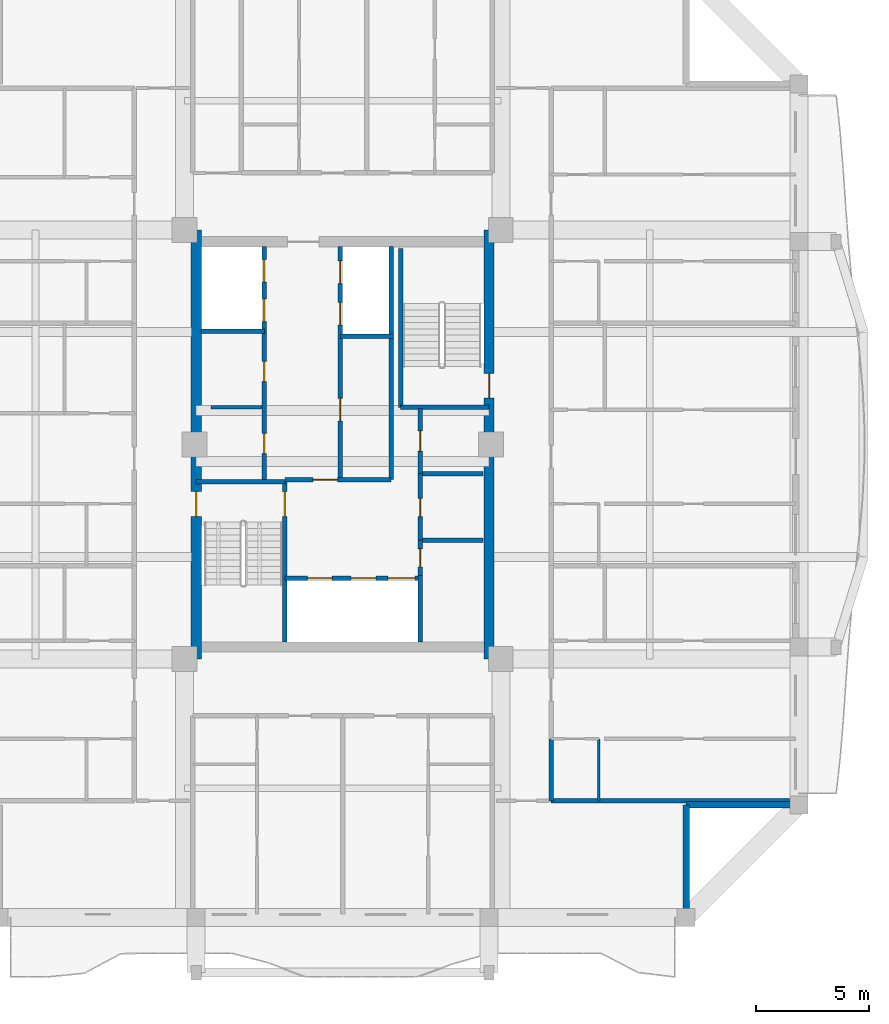
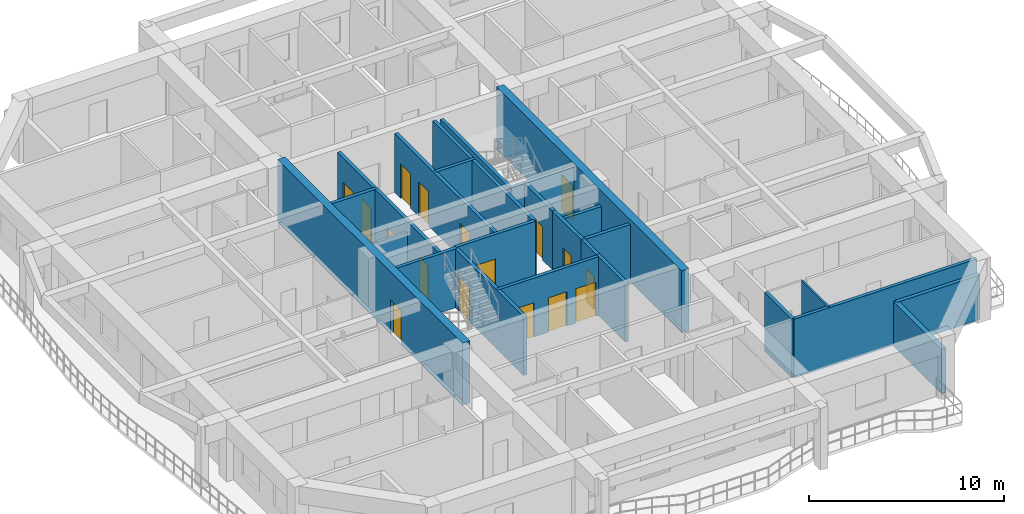
# One storey, part 4 of 13: 26 walls, 17 doors, 17 openings.
"""IFC4 building model written with IfcOpenShell, lengths in metres."""

from ifc_helpers import new_model, si_unit, direction, frame, frame_2d, origin, place, context, subcontext, project, spatial, rectangle, extrude, source, transform, mapped, material, layer, layer_set, type_object, element, fill, save


model = new_model("IFC4")

# Units and contexts
model_context = context("Model", 3, precision=1e-05, world=origin(), true_north=direction((0.0, 1.0)))
body_context = subcontext(model_context, "Body", "Model", "MODEL_VIEW")
ifc_project = project(units=[si_unit("LENGTHUNIT", "METRE"), si_unit("AREAUNIT", "SQUARE_METRE"), si_unit("VOLUMEUNIT", "CUBIC_METRE"), si_unit("PLANEANGLEUNIT", "RADIAN"), si_unit("MASSUNIT", "GRAM", prefix="KILO")], contexts=[model_context])

# Site, building, storey
site_placement = place(None, origin())
site = spatial("IfcSite", under=ifc_project, at=site_placement, CompositionType="ELEMENT")
building_placement = place(site_placement, origin())
building = spatial("IfcBuilding", under=site, at=building_placement, Name="Saelheon Loggia Tower", CompositionType="ELEMENT")
storey_placement = place(building_placement, frame((0.0, 0.0, 172.89990234375)))
storey = spatial("IfcBuildingStorey", under=building, at=storey_placement, Name="L54", CompositionType="ELEMENT", Elevation=172.89990234375)

# Wall, opening, door
ifc_material_1 = material(Name="Concrete C45/55", Category="concrete")
ifc_layer_1 = layer(ifc_material_1, 0.449951171875)
ifc_layer_set_1 = layer_set([ifc_layer_1], Name="Concrete C45/55")
wall_type_1 = type_object("IfcWallType", Name="Wall_CoreShear_450", PredefinedType="SHEAR", material=ifc_layer_set_1)
wall_1_placement = place(storey_placement, frame((31.5, 17.47998046875, 0.0), z_axis=(0.0, 0.0, 1.0), x_axis=(0.0, 1.0, 0.0)))
wall_1 = element("IfcWall", 1, at=wall_1_placement, inside=storey, type_object=wall_type_1, Name="L54 Core Shear Wall West", PredefinedType="SHEAR", context=body_context, shape_type="SweptSolid", body=[
    extrude(rectangle(XDim=19.0400390625, YDim=0.449951171875, at=frame_2d((9.52001953125, 0.0))), origin(), (0.0, 0.0, 1.0), 3.900146484375),
])
opening_1_placement = place(wall_1_placement, frame((6.320068359375, 0.0, 0.0)))
opening_1 = element("IfcOpeningElement", 2, at=opening_1_placement, cuts=wall_1, Name="Opening D-FD2", PredefinedType="OPENING", context=body_context, shape_type="SweptSolid", body=[
    extrude(rectangle(XDim=1.10009765625, YDim=2.14990234375, at=frame_2d((0.550048828125, 1.074951171875))), frame((0.0, 0.237060546875, 0.0), z_axis=(0.0, -1.0, 0.0), x_axis=(1.0, 0.0, 0.0)), (0.0, 0.0, 1.0), 0.473876953125),
])
ifc_material_2 = material(Name="Galvanised Steel Fire Door", Category="steel")
door_type_1 = type_object("IfcDoorType", Name="Door_Fire_FD60_1100", OperationType="NOTDEFINED", PredefinedType="DOOR", material=ifc_material_2)
shared_shape_1 = source(origin(), body_context, "Body", "SweptSolid", [
    extrude(rectangle(XDim=1.10009765625, YDim=2.14990234375, at=frame_2d((0.550048828125, 1.074951171875))), frame((0.0, 0.02490234375, 0.0), z_axis=(0.0, -1.0, 0.0), x_axis=(1.0, 0.0, 0.0)), (0.0, 0.0, 1.0), 0.050048828125),
])
door_1_placement = place(opening_1_placement, origin())
door_1 = element("IfcDoor", 3, at=door_1_placement, inside=storey, type_object=door_type_1, Name="L54 Stair ST1 Corridor Door", OperationType="SINGLE_SWING_LEFT", OverallHeight=2.14990234375, OverallWidth=1.10009765625, PredefinedType="DOOR", context=body_context, shape_type="MappedRepresentation", body=[
    mapped(shared_shape_1, transform((0.0, 0.0, 0.0), scale=1.0)),
])
fill(opening_1, door_1)

wall_2_placement = place(storey_placement, frame((44.5, 17.47998046875, 0.0), z_axis=(0.0, 0.0, 1.0), x_axis=(0.0, 1.0, 0.0)))
wall_2 = element("IfcWall", 4, at=wall_2_placement, inside=storey, type_object=wall_type_1, Name="L54 Core Shear Wall East", PredefinedType="SHEAR", context=body_context, shape_type="SweptSolid", body=[
    extrude(rectangle(XDim=19.0400390625, YDim=0.449951171875, at=frame_2d((9.52001953125, 0.0))), origin(), (0.0, 0.0, 1.0), 3.900146484375),
])
opening_2_placement = place(wall_2_placement, frame((12.670166015625, 0.0, 0.0), z_axis=(0.0, 0.0, 1.0), x_axis=(-1.0, 0.0, 0.0)))
opening_2 = element("IfcOpeningElement", 5, at=opening_2_placement, cuts=wall_2, Name="Opening D-FD2", PredefinedType="OPENING", context=body_context, shape_type="SweptSolid", body=[
    extrude(rectangle(XDim=1.10009765625, YDim=2.14990234375, at=frame_2d((0.550048828125, 1.074951171875))), frame((0.0, 0.237060546875, 0.0), z_axis=(0.0, -1.0, 0.0), x_axis=(1.0, 0.0, 0.0)), (0.0, 0.0, 1.0), 0.473876953125),
])
door_2_placement = place(opening_2_placement, origin())
door_2 = element("IfcDoor", 6, at=door_2_placement, inside=storey, type_object=door_type_1, Name="L54 Stair ST2 Corridor Door", OperationType="SINGLE_SWING_RIGHT", OverallHeight=2.14990234375, OverallWidth=1.10009765625, PredefinedType="DOOR", context=body_context, shape_type="MappedRepresentation", body=[
    mapped(shared_shape_1, transform((0.0, 0.0, 0.0), scale=1.0)),
])
fill(opening_2, door_2)

# Walls
ifc_material_3 = material(Name="Architectural Precast Concrete C40/50", Category="concrete")
ifc_layer_2 = layer(ifc_material_3, 0.280029296875)
ifc_layer_set_2 = layer_set([ifc_layer_2], Name="Architectural Precast Concrete C40/50")
wall_type_2 = type_object("IfcWallType", Name="Wall_Ext_Loggia_280", PredefinedType="SOLIDWALL", material=ifc_layer_set_2)
for number, where, z_axis, x_axis, name in (
    (7, (53.25, 6.080078125, 0.0), (0.0, 0.0, 1.0), (0.0, 1.0, 0.0), "L54 Corner Notch Precast Wall SE1"),
    (8, (53.25, 11.0, 0.0), (0.0, 0.0, 1.0), (1.0, 0.0, 0.0), "L54 Corner Notch Precast Wall SE2"),
):
    element("IfcWall", number, at=place(storey_placement, frame(where, z_axis=z_axis, x_axis=x_axis)), inside=storey, type_object=wall_type_2, Name=name, PredefinedType="SOLIDWALL", context=body_context, shape_type="SweptSolid", body=[
        extrude(rectangle(XDim=4.919921875, YDim=0.280029296875, at=frame_2d((2.4599609375, 0.0))), origin(), (0.0, 0.0, 1.0), 2.7900390625),
    ])
ifc_material_4 = material(Name="Lightweight Autoclaved Aerated Concrete Block and Acoustic Gypsum", Category="concrete")
ifc_layer_3 = layer(ifc_material_4, 0.14990234375)
ifc_layer_set_3 = layer_set([ifc_layer_3], Name="Lightweight Autoclaved Aerated Concrete Block and Acoustic Gypsum")
wall_type_3 = type_object("IfcWallType", Name="Wall_Part_150", PredefinedType="PARTITIONING", material=ifc_layer_set_3)
wall_3_placement = place(storey_placement, frame((32.14990234375, 28.64990234375, 0.0), z_axis=(0.0, 0.0, 1.0), x_axis=(1.0, 0.0, 0.0)))
element("IfcWall", 9, at=wall_3_placement, inside=storey, type_object=wall_type_3, Name="L54 Freed Core Partition PL", PredefinedType="PARTITIONING", context=body_context, shape_type="SweptSolid", body=[
    extrude(rectangle(XDim=2.27001953125, YDim=0.14990234375, at=frame_2d((1.135009765625, 0.0))), origin(), (0.0, 0.0, 1.0), 3.0400390625),
])
ifc_material_5 = material(Name="Double Acoustic Stud and Fireboard Partition", Category="gypsum")
ifc_layer_4 = layer(ifc_material_5, 0.199951171875)
ifc_layer_set_4 = layer_set([ifc_layer_4], Name="Double Acoustic Stud and Fireboard Partition")
wall_type_4 = type_object("IfcWallType", Name="Wall_Party_200", PredefinedType="PARTITIONING", material=ifc_layer_set_4)
wall_4_placement = place(storey_placement, frame((47.25, 11.179931640625, 0.0), z_axis=(0.0, 0.0, 1.0), x_axis=(1.0, 0.0, 0.0)))
element("IfcWall", 10, at=wall_4_placement, inside=storey, type_object=wall_type_4, Name="L54 E Partition U01", PredefinedType="PARTITIONING", context=body_context, shape_type="SweptSolid", body=[
    extrude(rectangle(XDim=10.85009765625, YDim=0.199951171875, at=frame_2d((5.425048828125, 0.0))), origin(), (0.0, 0.0, 1.0), 3.690185546875),
])
wall_5_placement = place(storey_placement, frame((47.25, 11.179931640625, 0.0), z_axis=(0.0, 0.0, 1.0), x_axis=(0.0, 1.0, 0.0)))
element("IfcWall", 11, at=wall_5_placement, inside=storey, type_object=wall_type_4, Name="L54 E Partition V03", PredefinedType="PARTITIONING", context=body_context, shape_type="SweptSolid", body=[
    extrude(rectangle(XDim=2.75, YDim=0.199951171875, at=frame_2d((1.375, 0.0))), origin(), (0.0, 0.0, 1.0), 3.690185546875),
])
ifc_material_6 = material(Name="Concrete C40/50", Category="concrete")
ifc_layer_5 = layer(ifc_material_6, 0.199951171875)
ifc_layer_set_5 = layer_set([ifc_layer_5], Name="Concrete C40/50")
wall_type_5 = type_object("IfcWallType", Name="Wall_Shaft_200", PredefinedType="PARTITIONING", material=ifc_layer_set_5)
wall_6_placement = place(storey_placement, frame((41.550048828125, 22.75, 0.0), z_axis=(0.0, 0.0, 1.0), x_axis=(1.0, 0.0, 0.0)))
element("IfcWall", 12, at=wall_6_placement, inside=storey, type_object=wall_type_5, Name="CW-BOH-L54-H1", PredefinedType="PARTITIONING", context=body_context, shape_type="SweptSolid", body=[
    extrude(rectangle(XDim=2.669921875, YDim=0.199951171875, at=frame_2d((1.3349609375, 0.0))), origin(), (0.0, 0.0, 1.0), 3.690185546875),
])
wall_7_placement = place(storey_placement, frame((41.550048828125, 25.699951171875, 0.0), z_axis=(0.0, 0.0, 1.0), x_axis=(1.0, 0.0, 0.0)))
element("IfcWall", 13, at=wall_7_placement, inside=storey, type_object=wall_type_5, Name="CW-BOH-L54-H2", PredefinedType="PARTITIONING", context=body_context, shape_type="SweptSolid", body=[
    extrude(rectangle(XDim=2.669921875, YDim=0.199951171875, at=frame_2d((1.3349609375, 0.0))), origin(), (0.0, 0.0, 1.0), 3.0400390625),
])
wall_8_placement = place(storey_placement, frame((41.449951171875, 18.219970703125, 0.0), z_axis=(0.0, 0.0, 1.0), x_axis=(0.0, 1.0, 0.0)))
element("IfcWall", 14, at=wall_8_placement, inside=storey, type_object=wall_type_5, Name="CW-INT-L54-BOH-W0", PredefinedType="PARTITIONING", context=body_context, shape_type="SweptSolid", body=[
    extrude(rectangle(XDim=2.9599609375, YDim=0.199951171875, at=frame_2d((1.47998046875, 0.0))), origin(), (0.0, 0.0, 1.0), 3.690185546875),
])

# Wall, opening, door
wall_9_placement = place(storey_placement, frame((41.449951171875, 21.179931640625, 0.0), z_axis=(0.0, 0.0, 1.0), x_axis=(0.0, 1.0, 0.0)))
wall_9 = element("IfcWall", 15, at=wall_9_placement, inside=storey, type_object=wall_type_5, Name="CW-INT-L54-BOH-W1", PredefinedType="PARTITIONING", context=body_context, shape_type="SweptSolid", body=[
    extrude(rectangle(XDim=1.570068359375, YDim=0.199951171875, at=frame_2d((0.78515625, 0.0))), origin(), (0.0, 0.0, 1.0), 3.690185546875),
])
opening_3_placement = place(wall_9_placement, frame((0.3798828125, 0.0, 0.0)))
opening_3 = element("IfcOpeningElement", 16, at=opening_3_placement, cuts=wall_9, Name="Opening D-ST1", PredefinedType="OPENING", context=body_context, shape_type="SweptSolid", body=[
    extrude(rectangle(XDim=0.800048828125, YDim=2.050048828125, at=frame_2d((0.39990234375, 1.02490234375))), frame((0.0, 0.112060546875, 0.0), z_axis=(0.0, -1.0, 0.0), x_axis=(1.0, 0.0, 0.0)), (0.0, 0.0, 1.0), 0.223876953125),
])
ifc_material_7 = material(Name="Powder-Coated Steel Store Door", Category="steel")
door_type_2 = type_object("IfcDoorType", Name="Door_Store_800", OperationType="NOTDEFINED", PredefinedType="DOOR", material=ifc_material_7)
shared_shape_2 = source(origin(), body_context, "Body", "SweptSolid", [
    extrude(rectangle(XDim=0.800048828125, YDim=2.050048828125, at=frame_2d((0.39990234375, 1.02490234375))), frame((0.0, 0.02490234375, 0.0), z_axis=(0.0, -1.0, 0.0), x_axis=(1.0, 0.0, 0.0)), (0.0, 0.0, 1.0), 0.050048828125),
])
door_3_placement = place(opening_3_placement, origin())
door_3 = element("IfcDoor", 17, at=door_3_placement, inside=storey, type_object=door_type_2, Name="L54 Cleaner Store Door", OperationType="SINGLE_SWING_LEFT", OverallHeight=2.050048828125, OverallWidth=0.800048828125, PredefinedType="DOOR", context=body_context, shape_type="MappedRepresentation", body=[
    mapped(shared_shape_2, transform((0.0, 0.0, 0.0), scale=1.0)),
])
fill(opening_3, door_3)

wall_10_placement = place(storey_placement, frame((41.449951171875, 22.75, 0.0), z_axis=(0.0, 0.0, 1.0), x_axis=(0.0, 1.0, 0.0)))
wall_10 = element("IfcWall", 18, at=wall_10_placement, inside=storey, type_object=wall_type_5, Name="CW-INT-L54-BOH-W2", PredefinedType="PARTITIONING", context=body_context, shape_type="SweptSolid", body=[
    extrude(rectangle(XDim=2.949951171875, YDim=0.199951171875, at=frame_2d((1.47509765625, 0.0))), origin(), (0.0, 0.0, 1.0), 3.690185546875),
])
opening_4_placement = place(wall_10_placement, frame((1.050048828125, 0.0, 0.0)))
opening_4 = element("IfcOpeningElement", 19, at=opening_4_placement, cuts=wall_10, Name="Opening D-ST1", PredefinedType="OPENING", context=body_context, shape_type="SweptSolid", body=[
    extrude(rectangle(XDim=0.800048828125, YDim=2.050048828125, at=frame_2d((0.39990234375, 1.02490234375))), frame((0.0, 0.112060546875, 0.0), z_axis=(0.0, -1.0, 0.0), x_axis=(1.0, 0.0, 0.0)), (0.0, 0.0, 1.0), 0.223876953125),
])
door_4_placement = place(opening_4_placement, origin())
door_4 = element("IfcDoor", 20, at=door_4_placement, inside=storey, type_object=door_type_2, Name="L54 Electrical Riser Door", OperationType="SINGLE_SWING_RIGHT", OverallHeight=2.050048828125, OverallWidth=0.800048828125, PredefinedType="DOOR", context=body_context, shape_type="MappedRepresentation", body=[
    mapped(shared_shape_2, transform((0.0, 0.0, 0.0), scale=1.0)),
])
fill(opening_4, door_4)

wall_11_placement = place(storey_placement, frame((41.449951171875, 25.699951171875, 0.0), z_axis=(0.0, 0.0, 1.0), x_axis=(0.0, 1.0, 0.0)))
wall_11 = element("IfcWall", 21, at=wall_11_placement, inside=storey, type_object=wall_type_5, Name="CW-INT-L54-BOH-W3", PredefinedType="PARTITIONING", context=body_context, shape_type="SweptSolid", body=[
    extrude(rectangle(XDim=2.900146484375, YDim=0.199951171875, at=frame_2d((1.4501953125, 0.0))), origin(), (0.0, 0.0, 1.0), 3.690185546875),
])
opening_5_placement = place(wall_11_placement, frame((1.0, 0.0, 0.0)))
opening_5 = element("IfcOpeningElement", 22, at=opening_5_placement, cuts=wall_11, Name="Opening D-RS1", PredefinedType="OPENING", context=body_context, shape_type="SweptSolid", body=[
    extrude(rectangle(XDim=0.89990234375, YDim=2.10009765625, at=frame_2d((0.449951171875, 1.050048828125))), frame((0.0, 0.112060546875, 0.0), z_axis=(0.0, -1.0, 0.0), x_axis=(1.0, 0.0, 0.0)), (0.0, 0.0, 1.0), 0.223876953125),
])
ifc_material_8 = material(Name="Galvanised Steel Riser Access Door", Category="steel")
door_type_3 = type_object("IfcDoorType", Name="Door_Riser_FD60", OperationType="NOTDEFINED", PredefinedType="DOOR", material=ifc_material_8)
shared_shape_3 = source(origin(), body_context, "Body", "SweptSolid", [
    extrude(rectangle(XDim=0.89990234375, YDim=2.10009765625, at=frame_2d((0.449951171875, 1.050048828125))), frame((0.0, 0.02490234375, 0.0), z_axis=(0.0, -1.0, 0.0), x_axis=(1.0, 0.0, 0.0)), (0.0, 0.0, 1.0), 0.050048828125),
])
door_5_placement = place(opening_5_placement, origin())
door_5 = element("IfcDoor", 23, at=door_5_placement, inside=storey, type_object=door_type_3, Name="L54 Floor IT Room Door", OperationType="SINGLE_SWING_LEFT", OverallHeight=2.10009765625, OverallWidth=0.89990234375, PredefinedType="DOOR", context=body_context, shape_type="MappedRepresentation", body=[
    mapped(shared_shape_3, transform((0.0, 0.0, 0.0), scale=1.0)),
])
fill(opening_5, door_5)

# Walls
wall_12_placement = place(storey_placement, frame((40.14990234375, 25.43994140625, 0.0), z_axis=(0.0, 0.0, 1.0), x_axis=(0.0, 1.0, 0.0)))
element("IfcWall", 24, at=wall_12_placement, inside=storey, type_object=wall_type_5, Name="L54 Core Service Passage West Wall", PredefinedType="PARTITIONING", context=body_context, shape_type="SweptSolid", body=[
    extrude(rectangle(XDim=6.360107421875, YDim=0.199951171875, at=frame_2d((3.18017578125, 0.0))), origin(), (0.0, 0.0, 1.0), 3.690185546875),
])
wall_13_placement = place(storey_placement, frame((40.14990234375, 31.800048828125, 0.0), z_axis=(0.0, 0.0, 1.0), x_axis=(0.0, 1.0, 0.0)))
element("IfcWall", 25, at=wall_13_placement, inside=storey, type_object=wall_type_5, Name="L54 East High-Rise Hoistway East Wall", PredefinedType="PARTITIONING", context=body_context, shape_type="SweptSolid", body=[
    extrude(rectangle(XDim=3.97998046875, YDim=0.199951171875, at=frame_2d((1.989990234375, 0.0))), origin(), (0.0, 0.0, 1.0), 3.690185546875),
])

# Wall, openings, doors
wall_14_placement = place(storey_placement, frame((35.429931640625, 21.06005859375, 0.0), z_axis=(0.0, 0.0, 1.0), x_axis=(1.0, 0.0, 0.0)))
wall_14 = element("IfcWall", 26, at=wall_14_placement, inside=storey, type_object=wall_type_5, Name="L54 Firefighting Lift Shaft Front Wall", PredefinedType="PARTITIONING", context=body_context, shape_type="SweptSolid", body=[
    extrude(rectangle(XDim=6.02001953125, YDim=0.199951171875, at=frame_2d((3.010009765625, 0.0))), origin(), (0.0, 0.0, 1.0), 3.690185546875),
])
opening_6_placement = place(wall_14_placement, frame((1.0, 0.0, 0.0)))
opening_6 = element("IfcOpeningElement", 27, at=opening_6_placement, cuts=wall_14, Name="Opening LD2", PredefinedType="OPENING", context=body_context, shape_type="SweptSolid", body=[
    extrude(rectangle(XDim=1.10009765625, YDim=2.14990234375, at=frame_2d((0.550048828125, 1.074951171875))), frame((0.0, 0.112060546875, 0.0), z_axis=(0.0, -1.0, 0.0), x_axis=(1.0, 0.0, 0.0)), (0.0, 0.0, 1.0), 0.223876953125),
])
opening_7_placement = place(wall_14_placement, frame((2.949951171875, 0.0, 0.0)))
opening_7 = element("IfcOpeningElement", 28, at=opening_7_placement, cuts=wall_14, Name="Opening LD2", PredefinedType="OPENING", context=body_context, shape_type="SweptSolid", body=[
    extrude(rectangle(XDim=1.10009765625, YDim=2.14990234375, at=frame_2d((0.550048828125, 1.074951171875))), frame((0.0, 0.112060546875, 0.0), z_axis=(0.0, -1.0, 0.0), x_axis=(1.0, 0.0, 0.0)), (0.0, 0.0, 1.0), 0.223876953125),
])
opening_8_placement = place(wall_14_placement, frame((4.580078125, 0.0, 0.0)))
opening_8 = element("IfcOpeningElement", 29, at=opening_8_placement, cuts=wall_14, Name="Opening LD3", PredefinedType="OPENING", context=body_context, shape_type="SweptSolid", body=[
    extrude(rectangle(XDim=1.199951171875, YDim=2.14990234375, at=frame_2d((0.60009765625, 1.074951171875))), frame((0.0, 0.112060546875, 0.0), z_axis=(0.0, -1.0, 0.0), x_axis=(1.0, 0.0, 0.0)), (0.0, 0.0, 1.0), 0.223876953125),
])
ifc_material_9 = material(Name="Firefighting Stainless Steel 316 Landing Door", Category="steel")
door_type_4 = type_object("IfcDoorType", Name="Door_Lift_LD2", OperationType="DOUBLE_DOOR_SLIDING", PredefinedType="DOOR", material=ifc_material_9)
door_6_placement = place(opening_6_placement, origin())
door_6 = element("IfcDoor", 30, at=door_6_placement, inside=storey, type_object=door_type_4, Name="L54 FF1 Landing Door", OperationType="DOUBLE_DOOR_SLIDING", OverallHeight=2.14990234375, OverallWidth=1.10009765625, PredefinedType="DOOR", context=body_context, shape_type="MappedRepresentation", body=[
    mapped(shared_shape_1, transform((0.0, 0.0, 0.0), scale=1.0)),
])
fill(opening_6, door_6)
door_7_placement = place(opening_7_placement, origin())
door_7 = element("IfcDoor", 31, at=door_7_placement, inside=storey, type_object=door_type_4, Name="L54 FF2 Landing Door", OperationType="DOUBLE_DOOR_SLIDING", OverallHeight=2.14990234375, OverallWidth=1.10009765625, PredefinedType="DOOR", context=body_context, shape_type="MappedRepresentation", body=[
    mapped(shared_shape_1, transform((0.0, 0.0, 0.0), scale=1.0)),
])
fill(opening_7, door_7)
ifc_material_10 = material(Name="Stretcher Lift Stainless Steel 304 Landing Door", Category="steel")
door_type_5 = type_object("IfcDoorType", Name="Door_Lift_LD3", OperationType="DOUBLE_DOOR_SLIDING", PredefinedType="DOOR", material=ifc_material_10)
shared_shape_4 = source(origin(), body_context, "Body", "SweptSolid", [
    extrude(rectangle(XDim=1.199951171875, YDim=2.14990234375, at=frame_2d((0.60009765625, 1.074951171875))), frame((0.0, 0.02490234375, 0.0), z_axis=(0.0, -1.0, 0.0), x_axis=(1.0, 0.0, 0.0)), (0.0, 0.0, 1.0), 0.050048828125),
])
door_8_placement = place(opening_8_placement, origin())
door_8 = element("IfcDoor", 32, at=door_8_placement, inside=storey, type_object=door_type_5, Name="L54 SV1 Landing Door", OperationType="DOUBLE_DOOR_SLIDING", OverallHeight=2.14990234375, OverallWidth=1.199951171875, PredefinedType="DOOR", context=body_context, shape_type="MappedRepresentation", body=[
    mapped(shared_shape_4, transform((0.0, 0.0, 0.0), scale=1.0)),
])
fill(opening_8, door_8)

# Wall, opening, door
wall_15_placement = place(storey_placement, frame((35.429931640625, 25.43994140625, 0.0), z_axis=(0.0, 0.0, 1.0), x_axis=(1.0, 0.0, 0.0)))
wall_15 = element("IfcWall", 33, at=wall_15_placement, inside=storey, type_object=wall_type_5, Name="L54 Firefighting Lobby Compartment Wall", PredefinedType="PARTITIONING", context=body_context, shape_type="SweptSolid", body=[
    extrude(rectangle(XDim=4.719970703125, YDim=0.199951171875, at=frame_2d((2.35986328125, 0.0))), origin(), (0.0, 0.0, 1.0), 3.690185546875),
])
opening_9_placement = place(wall_15_placement, frame((1.25, 0.0, 0.0)))
opening_9 = element("IfcOpeningElement", 34, at=opening_9_placement, cuts=wall_15, Name="Opening D-FD2", PredefinedType="OPENING", context=body_context, shape_type="SweptSolid", body=[
    extrude(rectangle(XDim=1.10009765625, YDim=2.14990234375, at=frame_2d((0.550048828125, 1.074951171875))), frame((0.0, 0.112060546875, 0.0), z_axis=(0.0, -1.0, 0.0), x_axis=(1.0, 0.0, 0.0)), (0.0, 0.0, 1.0), 0.223876953125),
])
door_9_placement = place(opening_9_placement, origin())
door_9 = element("IfcDoor", 35, at=door_9_placement, inside=storey, type_object=door_type_1, Name="L54 Firefighting Lobby Door", OperationType="SINGLE_SWING_RIGHT", OverallHeight=2.14990234375, OverallWidth=1.10009765625, PredefinedType="DOOR", context=body_context, shape_type="MappedRepresentation", body=[
    mapped(shared_shape_1, transform((0.0, 0.0, 0.0), scale=1.0)),
])
fill(opening_9, door_9)

# Wall, openings, doors
wall_16_placement = place(storey_placement, frame((34.52001953125, 25.43994140625, 0.0), z_axis=(0.0, 0.0, 1.0), x_axis=(0.0, 1.0, 0.0)))
wall_16 = element("IfcWall", 36, at=wall_16_placement, inside=storey, type_object=wall_type_5, Name="L54 West Passenger Lift Bank Wall", PredefinedType="PARTITIONING", context=body_context, shape_type="SweptSolid", body=[
    extrude(rectangle(XDim=10.340087890625, YDim=0.199951171875, at=frame_2d((5.169921875, 0.0))), origin(), (0.0, 0.0, 1.0), 3.690185546875),
])
opening_10_placement = place(wall_16_placement, frame((1.14990234375, 0.0, 0.0)))
opening_10 = element("IfcOpeningElement", 37, at=opening_10_placement, cuts=wall_16, Name="Opening D-RS1", PredefinedType="OPENING", context=body_context, shape_type="SweptSolid", body=[
    extrude(rectangle(XDim=0.89990234375, YDim=2.10009765625, at=frame_2d((0.449951171875, 1.050048828125))), frame((0.0, 0.112060546875, 0.0), z_axis=(0.0, -1.0, 0.0), x_axis=(1.0, 0.0, 0.0)), (0.0, 0.0, 1.0), 0.223876953125),
])
opening_11_placement = place(wall_16_placement, frame((4.35009765625, 0.0, 0.0)))
opening_11 = element("IfcOpeningElement", 38, at=opening_11_placement, cuts=wall_16, Name="Opening D-RS1", PredefinedType="OPENING", context=body_context, shape_type="SweptSolid", body=[
    extrude(rectangle(XDim=0.89990234375, YDim=2.10009765625, at=frame_2d((0.449951171875, 1.050048828125))), frame((0.0, 0.112060546875, 0.0), z_axis=(0.0, -1.0, 0.0), x_axis=(1.0, 0.0, 0.0)), (0.0, 0.0, 1.0), 0.223876953125),
])
opening_12_placement = place(wall_16_placement, frame((7.010009765625, 0.0, 0.0)))
opening_12 = element("IfcOpeningElement", 39, at=opening_12_placement, cuts=wall_16, Name="Opening LD1", PredefinedType="OPENING", context=body_context, shape_type="SweptSolid", body=[
    extrude(rectangle(XDim=1.0, YDim=2.14990234375, at=frame_2d((0.5, 1.074951171875))), frame((0.0, 0.112060546875, 0.0), z_axis=(0.0, -1.0, 0.0), x_axis=(1.0, 0.0, 0.0)), (0.0, 0.0, 1.0), 0.223876953125),
])
opening_13_placement = place(wall_16_placement, frame((8.760009765625, 0.0, 0.0)))
opening_13 = element("IfcOpeningElement", 40, at=opening_13_placement, cuts=wall_16, Name="Opening LD1", PredefinedType="OPENING", context=body_context, shape_type="SweptSolid", body=[
    extrude(rectangle(XDim=1.0, YDim=2.14990234375, at=frame_2d((0.5, 1.074951171875))), frame((0.0, 0.112060546875, 0.0), z_axis=(0.0, -1.0, 0.0), x_axis=(1.0, 0.0, 0.0)), (0.0, 0.0, 1.0), 0.223876953125),
])
door_10_placement = place(opening_10_placement, origin())
door_10 = element("IfcDoor", 41, at=door_10_placement, inside=storey, type_object=door_type_3, Name="L54 Parcel Store Door", OperationType="SINGLE_SWING_RIGHT", OverallHeight=2.10009765625, OverallWidth=0.89990234375, PredefinedType="DOOR", context=body_context, shape_type="MappedRepresentation", body=[
    mapped(shared_shape_3, transform((0.0, 0.0, 0.0), scale=1.0)),
])
fill(opening_10, door_10)
door_11_placement = place(opening_11_placement, origin())
door_11 = element("IfcDoor", 42, at=door_11_placement, inside=storey, type_object=door_type_3, Name="L54 Smart Metering Door", OperationType="SINGLE_SWING_LEFT", OverallHeight=2.10009765625, OverallWidth=0.89990234375, PredefinedType="DOOR", context=body_context, shape_type="MappedRepresentation", body=[
    mapped(shared_shape_3, transform((0.0, 0.0, 0.0), scale=1.0)),
])
fill(opening_11, door_11)
ifc_material_11 = material(Name="Brushed Stainless Steel 304 Landing Door", Category="steel")
door_type_6 = type_object("IfcDoorType", Name="Door_Lift_LD1", OperationType="DOUBLE_DOOR_SLIDING", PredefinedType="DOOR", material=ifc_material_11)
shared_shape_5 = source(origin(), body_context, "Body", "SweptSolid", [
    extrude(rectangle(XDim=1.0, YDim=2.14990234375, at=frame_2d((0.5, 1.074951171875))), frame((0.0, 0.02490234375, 0.0), z_axis=(0.0, -1.0, 0.0), x_axis=(1.0, 0.0, 0.0)), (0.0, 0.0, 1.0), 0.050048828125),
])
door_12_placement = place(opening_12_placement, origin())
door_12 = element("IfcDoor", 43, at=door_12_placement, inside=storey, type_object=door_type_6, Name="L54 PH1 Landing Door", OperationType="DOUBLE_DOOR_SLIDING", OverallHeight=2.14990234375, OverallWidth=1.0, PredefinedType="DOOR", context=body_context, shape_type="MappedRepresentation", body=[
    mapped(shared_shape_5, transform((0.0, 0.0, 0.0), scale=1.0)),
])
fill(opening_12, door_12)
door_13_placement = place(opening_13_placement, origin())
door_13 = element("IfcDoor", 44, at=door_13_placement, inside=storey, type_object=door_type_6, Name="L54 PH2 Landing Door", OperationType="DOUBLE_DOOR_SLIDING", OverallHeight=2.14990234375, OverallWidth=1.0, PredefinedType="DOOR", context=body_context, shape_type="MappedRepresentation", body=[
    mapped(shared_shape_5, transform((0.0, 0.0, 0.0), scale=1.0)),
])
fill(opening_13, door_13)

# Wall
wall_17_placement = place(storey_placement, frame((31.719970703125, 32.02001953125, 0.0), z_axis=(0.0, 0.0, 1.0), x_axis=(1.0, 0.0, 0.0)))
element("IfcWall", 45, at=wall_17_placement, inside=storey, type_object=wall_type_5, Name="L54 West High-Rise Shaft Divider", PredefinedType="PARTITIONING", context=body_context, shape_type="SweptSolid", body=[
    extrude(rectangle(XDim=2.800048828125, YDim=0.199951171875, at=frame_2d((1.39990234375, 0.0))), origin(), (0.0, 0.0, 1.0), 3.690185546875),
])

# Wall, openings, doors
wall_18_placement = place(storey_placement, frame((37.89990234375, 25.43994140625, 0.0), z_axis=(0.0, 0.0, 1.0), x_axis=(0.0, 1.0, 0.0)))
wall_18 = element("IfcWall", 46, at=wall_18_placement, inside=storey, type_object=wall_type_5, Name="L54 East Passenger Lift Bank Wall", PredefinedType="PARTITIONING", context=body_context, shape_type="SweptSolid", body=[
    extrude(rectangle(XDim=10.340087890625, YDim=0.199951171875, at=frame_2d((5.169921875, 0.0))), origin(), (0.0, 0.0, 1.0), 3.690185546875),
])
opening_14_placement = place(wall_18_placement, frame((2.60009765625, 0.0, 0.0)))
opening_14 = element("IfcOpeningElement", 47, at=opening_14_placement, cuts=wall_18, Name="Opening LD1", PredefinedType="OPENING", context=body_context, shape_type="SweptSolid", body=[
    extrude(rectangle(XDim=1.0, YDim=2.14990234375, at=frame_2d((0.5, 1.074951171875))), frame((0.0, 0.112060546875, 0.0), z_axis=(0.0, -1.0, 0.0), x_axis=(1.0, 0.0, 0.0)), (0.0, 0.0, 1.0), 0.223876953125),
])
opening_15_placement = place(wall_18_placement, frame((6.860107421875, 0.0, 0.0)))
opening_15 = element("IfcOpeningElement", 48, at=opening_15_placement, cuts=wall_18, Name="Opening LD1", PredefinedType="OPENING", context=body_context, shape_type="SweptSolid", body=[
    extrude(rectangle(XDim=1.0, YDim=2.14990234375, at=frame_2d((0.5, 1.074951171875))), frame((0.0, 0.112060546875, 0.0), z_axis=(0.0, -1.0, 0.0), x_axis=(1.0, 0.0, 0.0)), (0.0, 0.0, 1.0), 0.223876953125),
])
opening_16_placement = place(wall_18_placement, frame((8.7099609375, 0.0, 0.0)))
opening_16 = element("IfcOpeningElement", 49, at=opening_16_placement, cuts=wall_18, Name="Opening LD1", PredefinedType="OPENING", context=body_context, shape_type="SweptSolid", body=[
    extrude(rectangle(XDim=1.0, YDim=2.14990234375, at=frame_2d((0.5, 1.074951171875))), frame((0.0, 0.112060546875, 0.0), z_axis=(0.0, -1.0, 0.0), x_axis=(1.0, 0.0, 0.0)), (0.0, 0.0, 1.0), 0.223876953125),
])
door_14_placement = place(opening_14_placement, origin())
door_14 = element("IfcDoor", 50, at=door_14_placement, inside=storey, type_object=door_type_6, Name="L54 Mid-Rise Lift Landing Door Overrun", OperationType="DOUBLE_DOOR_SLIDING", OverallHeight=2.14990234375, OverallWidth=1.0, PredefinedType="DOOR", context=body_context, shape_type="MappedRepresentation", body=[
    mapped(shared_shape_5, transform((0.0, 0.0, 0.0), scale=1.0)),
])
fill(opening_14, door_14)
door_15_placement = place(opening_15_placement, origin())
door_15 = element("IfcDoor", 51, at=door_15_placement, inside=storey, type_object=door_type_6, Name="L54 PH3 Landing Door", OperationType="DOUBLE_DOOR_SLIDING", OverallHeight=2.14990234375, OverallWidth=1.0, PredefinedType="DOOR", context=body_context, shape_type="MappedRepresentation", body=[
    mapped(shared_shape_5, transform((0.0, 0.0, 0.0), scale=1.0)),
])
fill(opening_15, door_15)
door_16_placement = place(opening_16_placement, origin())
door_16 = element("IfcDoor", 52, at=door_16_placement, inside=storey, type_object=door_type_6, Name="L54 PH4 Landing Door", OperationType="DOUBLE_DOOR_SLIDING", OverallHeight=2.14990234375, OverallWidth=1.0, PredefinedType="DOOR", context=body_context, shape_type="MappedRepresentation", body=[
    mapped(shared_shape_5, transform((0.0, 0.0, 0.0), scale=1.0)),
])
fill(opening_16, door_16)

# Wall
wall_19_placement = place(storey_placement, frame((37.89990234375, 31.800048828125, 0.0), z_axis=(0.0, 0.0, 1.0), x_axis=(1.0, 0.0, 0.0)))
element("IfcWall", 53, at=wall_19_placement, inside=storey, type_object=wall_type_5, Name="L54 East High-Rise Shaft Divider", PredefinedType="PARTITIONING", context=body_context, shape_type="SweptSolid", body=[
    extrude(rectangle(XDim=2.35009765625, YDim=0.199951171875, at=frame_2d((1.175048828125, 0.0))), origin(), (0.0, 0.0, 1.0), 3.690185546875),
])

# Wall, opening, door
ifc_layer_6 = layer(ifc_material_1, 0.199951171875)
ifc_layer_set_6 = layer_set([ifc_layer_6], Name="Concrete C45/55")
wall_type_6 = type_object("IfcWallType", Name="Wall_StairShaft_RC200", PredefinedType="SOLIDWALL", material=ifc_layer_set_6)
wall_20_placement = place(storey_placement, frame((35.429931640625, 18.219970703125, 0.0), z_axis=(0.0, 0.0, 1.0), x_axis=(0.0, 1.0, 0.0)))
wall_20 = element("IfcWall", 54, at=wall_20_placement, inside=storey, type_object=wall_type_6, Name="L54 Stair ST1 Shaft Wall", PredefinedType="SOLIDWALL", context=body_context, shape_type="SweptSolid", body=[
    extrude(rectangle(XDim=7.219970703125, YDim=0.199951171875, at=frame_2d((3.60986328125, 0.0))), origin(), (0.0, 0.0, 1.0), 3.690185546875),
])
opening_17_placement = place(wall_20_placement, frame((6.68017578125, 0.0, 0.0), z_axis=(0.0, 0.0, 1.0), x_axis=(-1.0, 0.0, 0.0)))
opening_17 = element("IfcOpeningElement", 55, at=opening_17_placement, cuts=wall_20, Name="Opening D-FD2", PredefinedType="OPENING", context=body_context, shape_type="SweptSolid", body=[
    extrude(rectangle(XDim=1.10009765625, YDim=2.14990234375, at=frame_2d((0.550048828125, 1.074951171875))), frame((0.0, 0.112060546875, 0.0), z_axis=(0.0, -1.0, 0.0), x_axis=(1.0, 0.0, 0.0)), (0.0, 0.0, 1.0), 0.223876953125),
])
door_17_placement = place(opening_17_placement, origin())
door_17 = element("IfcDoor", 56, at=door_17_placement, inside=storey, type_object=door_type_1, Name="L54 Stair ST1 Lobby Door", OperationType="SINGLE_SWING_LEFT", OverallHeight=2.14990234375, OverallWidth=1.10009765625, PredefinedType="DOOR", context=body_context, shape_type="MappedRepresentation", body=[
    mapped(shared_shape_1, transform((0.0, 0.0, 0.0), scale=1.0)),
])
fill(opening_17, door_17)

# Walls
wall_21_placement = place(storey_placement, frame((31.5, 25.35009765625, 0.0), z_axis=(0.0, 0.0, 1.0), x_axis=(1.0, 0.0, 0.0)))
element("IfcWall", 57, at=wall_21_placement, inside=storey, type_object=wall_type_6, Name="L54 Stair ST1 North Wall", PredefinedType="SOLIDWALL", context=body_context, shape_type="SweptSolid", body=[
    extrude(rectangle(XDim=3.929931640625, YDim=0.199951171875, at=frame_2d((1.96484375, 0.0))), origin(), (0.0, 0.0, 1.0), 3.690185546875),
])
wall_22_placement = place(storey_placement, frame((40.570068359375, 28.64990234375, 0.0), z_axis=(0.0, 0.0, 1.0), x_axis=(0.0, 1.0, 0.0)))
element("IfcWall", 58, at=wall_22_placement, inside=storey, type_object=wall_type_6, Name="L54 Stair ST2 Shaft Wall", PredefinedType="SOLIDWALL", context=body_context, shape_type="SweptSolid", body=[
    extrude(rectangle(XDim=7.050048828125, YDim=0.199951171875, at=frame_2d((3.52490234375, 0.0))), origin(), (0.0, 0.0, 1.0), 3.690185546875),
])
wall_23_placement = place(storey_placement, frame((40.570068359375, 28.64990234375, 0.0), z_axis=(0.0, 0.0, 1.0), x_axis=(1.0, 0.0, 0.0)))
element("IfcWall", 59, at=wall_23_placement, inside=storey, type_object=wall_type_6, Name="L54 Stair ST2 South Wall", PredefinedType="SOLIDWALL", context=body_context, shape_type="SweptSolid", body=[
    extrude(rectangle(XDim=3.929931640625, YDim=0.199951171875, at=frame_2d((1.96484375, 0.0))), origin(), (0.0, 0.0, 1.0), 3.690185546875),
])
ifc_material_12 = material(Name="Moisture-Resistant Cement Board Partition", Category="gypsum")
ifc_layer_7 = layer(ifc_material_12, 0.1201171875)
ifc_layer_set_7 = layer_set([ifc_layer_7], Name="Moisture-Resistant Cement Board Partition")
wall_type_7 = type_object("IfcWallType", Name="Wall_WetPart_120", PredefinedType="PARTITIONING", material=ifc_layer_set_7)
wall_24_placement = place(storey_placement, frame((49.3701171875, 11.179931640625, 0.0), z_axis=(0.0, 0.0, 1.0), x_axis=(0.0, 1.0, 0.0)))
element("IfcWall", 60, at=wall_24_placement, inside=storey, type_object=wall_type_7, Name="L54 E Partition V06", PredefinedType="PARTITIONING", context=body_context, shape_type="SweptSolid", body=[
    extrude(rectangle(XDim=2.75, YDim=0.1201171875, at=frame_2d((1.375, 0.0))), origin(), (0.0, 0.0, 1.0), 3.690185546875),
])

save(model, "model.ifc")
